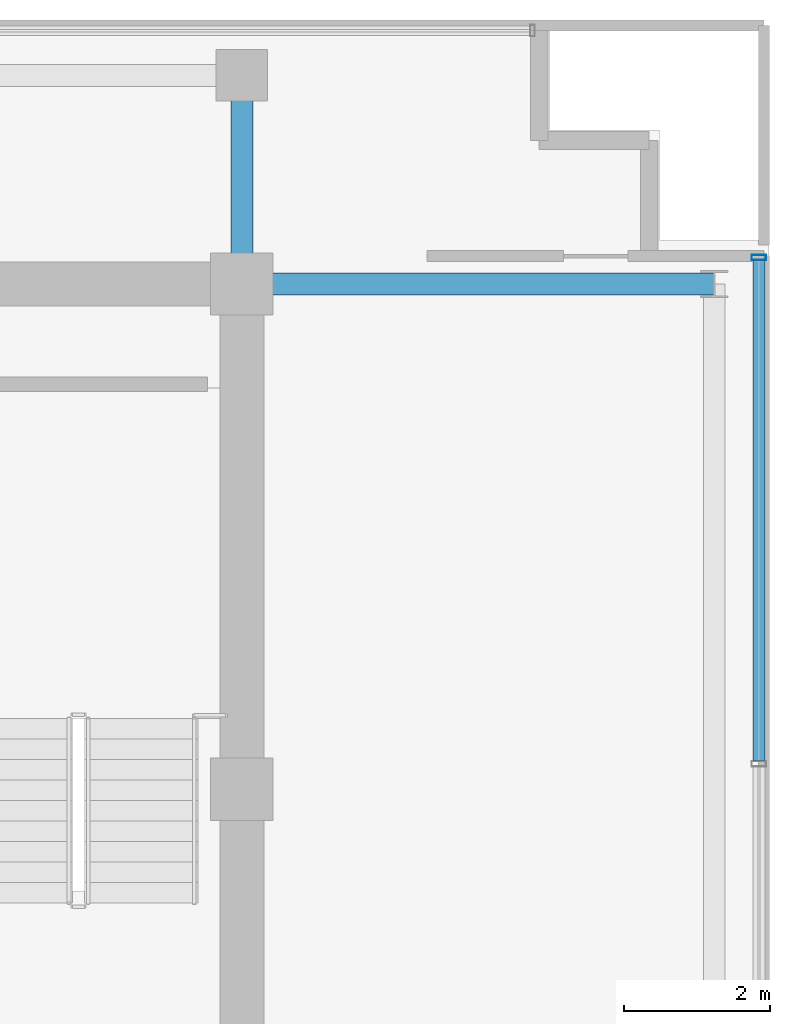
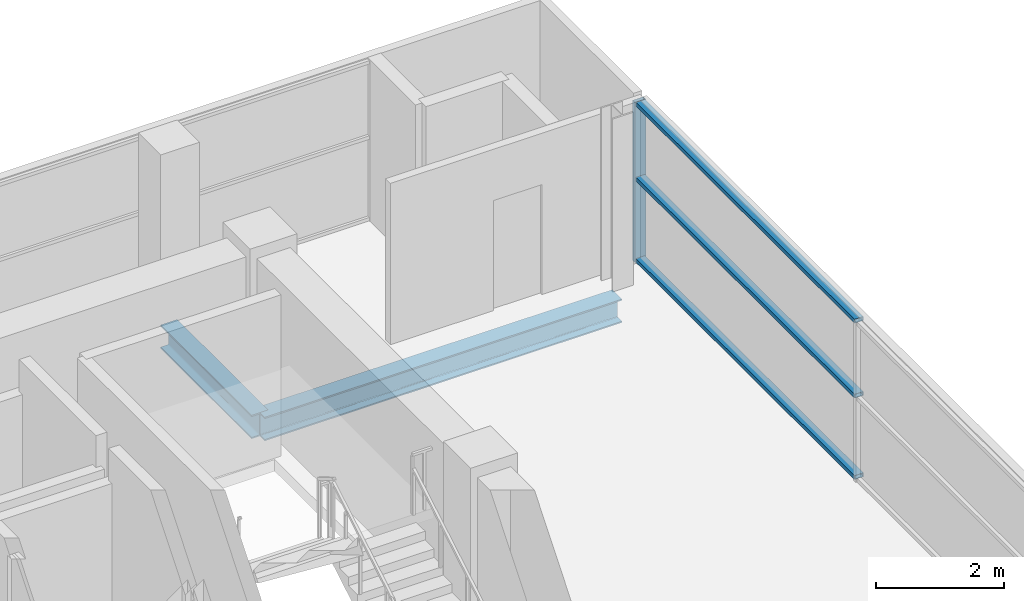
# One storey, part 15 of 28: 4 members, 2 beams, 1 element without a shape of its own.
"""IFC4 building model written with IfcOpenShell, lengths in metres."""

from ifc_helpers import new_model, si_unit, direction, frame, origin, origin_2d, place, context, subcontext, project, spatial, hollow_rectangle, i_section, extrude, source, transform, mapped, material, layer, layer_set, material_profile, profile_set, type_object, element, aggregate, save


model = new_model("IFC4")

# Units and contexts
model_context = context("Model", 3, precision=1e-05, world=origin(), true_north=direction((0.0, 1.0)))
body_context = subcontext(model_context, "Body", "Model", "MODEL_VIEW")
ifc_project = project(units=[si_unit("LENGTHUNIT", "METRE"), si_unit("AREAUNIT", "SQUARE_METRE"), si_unit("VOLUMEUNIT", "CUBIC_METRE"), si_unit("PLANEANGLEUNIT", "RADIAN"), si_unit("MASSUNIT", "GRAM", prefix="KILO")], contexts=[model_context])

# Site, building, storey
site_placement = place(None, origin())
site = spatial("IfcSite", under=ifc_project, at=site_placement, CompositionType="ELEMENT")
building_placement = place(site_placement, origin())
building = spatial("IfcBuilding", under=site, at=building_placement, Name="Zarnakvel Exchange Tower", CompositionType="ELEMENT")
storey_placement = place(building_placement, frame((0.0, 0.0, 268.300048828125)))
storey = spatial("IfcBuildingStorey", under=building, at=storey_placement, Name="L76", CompositionType="ELEMENT", Elevation=268.300048828125)

# Beams
ifc_material_1 = material(Name="Steel S355", Category="steel")
ifc_material_profile_1 = material_profile(ifc_material_1, i_section(OverallWidth=0.300048828125, OverallDepth=0.449951171875, WebThickness=0.013916015625, FlangeThickness=0.02587890625, FilletRadius=0.027099609375, at=origin_2d()))
ifc_profile_set_1 = profile_set([ifc_material_profile_1], Name="Steel S355")
beam_type = type_object("IfcBeamType", Name="G-07", PredefinedType="BEAM", material=ifc_profile_set_1)
beam_1_placement = place(storey_placement, frame((14.39990234375, 13.5, -0.449951171875), z_axis=(1.0, 0.0, 0.0), x_axis=(0.0, 1.0, 0.0)))
element("IfcBeam", 1, at=beam_1_placement, inside=storey, type_object=beam_type, Name="L76 Tower E-W Frame Beam", PredefinedType="BEAM", context=body_context, shape_type="SweptSolid", body=[
    extrude(i_section(OverallWidth=0.300048828125, OverallDepth=0.449951171875, WebThickness=0.013916015625, FlangeThickness=0.02587890625, FilletRadius=0.027099609375, at=origin_2d()), origin(), (0.0, 0.0, 1.0), 6.4501953125),
])
beam_2_placement = place(storey_placement, frame((14.39990234375, 13.5, -0.449951171875), z_axis=(0.0, 1.0, 0.0), x_axis=(-1.0, 0.0, 0.0)))
element("IfcBeam", 2, at=beam_2_placement, inside=storey, type_object=beam_type, Name="L76 Tower N-S Frame Beam", PredefinedType="BEAM", context=body_context, shape_type="SweptSolid", body=[
    extrude(i_section(OverallWidth=0.300048828125, OverallDepth=0.449951171875, WebThickness=0.013916015625, FlangeThickness=0.02587890625, FilletRadius=0.027099609375, at=origin_2d()), origin(), (0.0, 0.0, 1.0), 2.85009765625),
])

# Curtain wall, members
ifc_material_2 = material(Name="Architectural Bronze Anodised Aluminium", Category="aluminium")
ifc_layer = layer(ifc_material_2, 0.199951171875)
ifc_layer_set = layer_set([ifc_layer], Name="Architectural Bronze Anodised Aluminium")
curtain_wall_type = type_object("IfcCurtainWallType", Name="CW-04", PredefinedType="NOTDEFINED", material=ifc_layer_set)
curtain_wall_placement = place(storey_placement, origin())
curtain_wall = element("IfcCurtainWall", 3, at=curtain_wall_placement, inside=storey, type_object=curtain_wall_type, Name="L76 Curtain Wall CW-L76-E1 (CW-04)", PredefinedType="NOTDEFINED")
ifc_material_profile_2 = material_profile(ifc_material_2, hollow_rectangle(XDim=0.159912109375, YDim=0.074951171875, WallThickness=0.00390625, at=origin_2d()))
ifc_profile_set_2 = profile_set([ifc_material_profile_2], Name="Architectural Bronze Anodised Aluminium")
member_type_1 = type_object("IfcMemberType", Name="CWT-04", PredefinedType="USERDEFINED", material=ifc_profile_set_2)
shared_shape_1 = source(origin(), body_context, "Body", "SweptSolid", [
    extrude(hollow_rectangle(XDim=0.159912109375, YDim=0.074951171875, WallThickness=0.00390625, at=origin_2d()), origin(), (0.0, 0.0, 1.0), 6.83740234375),
])
member_1_placement = place(storey_placement, frame((21.4599609375, 6.987548828125, 0.037353515625), z_axis=(0.0, 1.0, 0.0), x_axis=(-1.0, 0.0, 0.0)))
member_1 = element("IfcMember", 4, at=member_1_placement, type_object=member_type_1, Name="CW-04 transom 4.1", ObjectType="TRANSOM", PredefinedType="USERDEFINED", context=body_context, shape_type="MappedRepresentation", body=[
    mapped(shared_shape_1, transform((0.0, 0.0, 0.0), x_axis=(1.0, 0.0, 0.0), y_axis=(0.0, 1.0, 0.0), z_axis=(0.0, 0.0, 1.0), scale=1.0)),
])
member_2_placement = place(storey_placement, frame((21.4599609375, 6.987548828125, 1.591064453125), z_axis=(0.0, 1.0, 0.0), x_axis=(-1.0, 0.0, 0.0)))
member_2 = element("IfcMember", 5, at=member_2_placement, type_object=member_type_1, Name="CW-04 transom 4.2", ObjectType="TRANSOM", PredefinedType="USERDEFINED", context=body_context, shape_type="MappedRepresentation", body=[
    mapped(shared_shape_1, transform((0.0, 0.0, 0.0), x_axis=(1.0, 0.0, 0.0), y_axis=(0.0, 1.0, 0.0), z_axis=(0.0, 0.0, 1.0), scale=1.0)),
])
member_3_placement = place(storey_placement, frame((21.4599609375, 6.987548828125, 3.0224609375), z_axis=(0.0, 1.0, 0.0), x_axis=(-1.0, 0.0, 0.0)))
member_3 = element("IfcMember", 6, at=member_3_placement, type_object=member_type_1, Name="CW-04 transom 4.3", ObjectType="TRANSOM", PredefinedType="USERDEFINED", context=body_context, shape_type="MappedRepresentation", body=[
    mapped(shared_shape_1, transform((0.0, 0.0, 0.0), x_axis=(1.0, 0.0, 0.0), y_axis=(0.0, 1.0, 0.0), z_axis=(0.0, 0.0, 1.0), scale=1.0)),
])
ifc_material_profile_3 = material_profile(ifc_material_2, hollow_rectangle(XDim=0.199951171875, YDim=0.074951171875, WallThickness=0.0048828125, at=origin_2d()))
ifc_profile_set_3 = profile_set([ifc_material_profile_3], Name="Architectural Bronze Anodised Aluminium")
member_type_2 = type_object("IfcMemberType", Name="CWM-04", PredefinedType="MULLION", material=ifc_profile_set_3)
shared_shape_2 = source(origin(), body_context, "Body", "SweptSolid", [
    extrude(hollow_rectangle(XDim=0.199951171875, YDim=0.074951171875, WallThickness=0.0048828125, at=origin_2d()), origin(), (0.0, 0.0, 1.0), 3.06005859375),
])
member_4_placement = place(storey_placement, frame((21.4599609375, 13.862548828125, 0.0), z_axis=(0.0, 0.0, 1.0), x_axis=(-1.0, 0.0, 0.0)))
member_4 = element("IfcMember", 7, at=member_4_placement, type_object=member_type_2, Name="CW-04 mullion 5", PredefinedType="MULLION", context=body_context, shape_type="MappedRepresentation", body=[
    mapped(shared_shape_2, transform((0.0, 0.0, 0.0), x_axis=(1.0, 0.0, 0.0), y_axis=(0.0, 1.0, 0.0), z_axis=(0.0, 0.0, 1.0), scale=1.0)),
])
aggregate(curtain_wall, [member_4, member_1, member_2, member_3])

save(model, "model.ifc")
